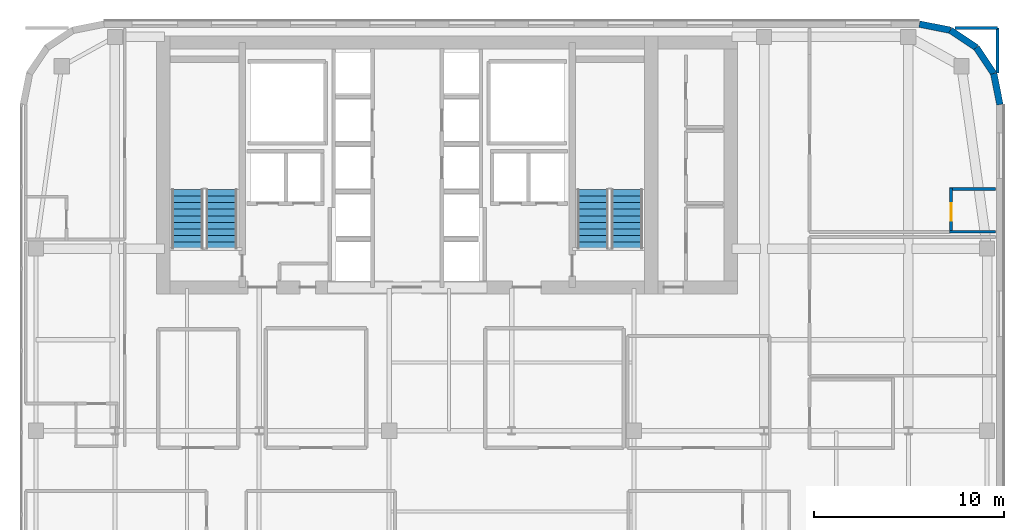
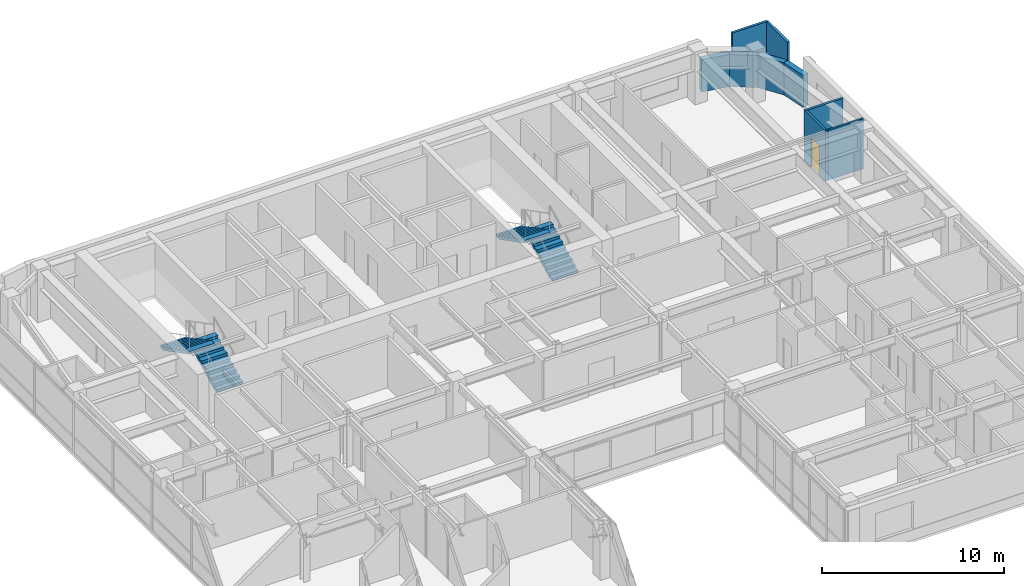
# One storey, part 23 of 28: 9 walls, 4 stair flights, 1 door, 1 opening, 2 elements without a shape of their own.
"""IFC4 building model written with IfcOpenShell, lengths in metres."""

from ifc_helpers import new_model, si_unit, direction, frame, frame_2d, origin, place, context, subcontext, project, spatial, polyline, rectangle, outline, extrude, source, transform, mapped, material, layer, layer_set, type_object, type_shapes, element, fill, aggregate, save


model = new_model("IFC4")

# Units and contexts
model_context = context("Model", 3, precision=1e-05, world=origin(), true_north=direction((0.0, 1.0)))
body_context = subcontext(model_context, "Body", "Model", "MODEL_VIEW")
ifc_project = project(units=[si_unit("LENGTHUNIT", "METRE"), si_unit("AREAUNIT", "SQUARE_METRE"), si_unit("VOLUMEUNIT", "CUBIC_METRE"), si_unit("PLANEANGLEUNIT", "RADIAN"), si_unit("MASSUNIT", "GRAM", prefix="KILO")], contexts=[model_context])

# Site, building, storey
site_placement = place(None, origin())
site = spatial("IfcSite", under=ifc_project, at=site_placement, CompositionType="ELEMENT")
building_placement = place(site_placement, origin())
building = spatial("IfcBuilding", under=site, at=building_placement, Name="Tolvann Quenvar Hotel", CompositionType="ELEMENT")
storey_placement = place(building_placement, frame((0.0, 0.0, 154.14990234375)))
storey = spatial("IfcBuildingStorey", under=building, at=storey_placement, Name="L40", CompositionType="ELEMENT", Elevation=154.14990234375)

# Walls
ifc_material_1 = material(Name="Kiln-fired red and buff architectural clay brickwork and terracotta masonry", Category="masonry")
ifc_layer_1 = layer(ifc_material_1, 0.35009765625)
ifc_layer_set_1 = layer_set([ifc_layer_1], Name="Kiln-fired red and buff architectural clay brickwork and terracotta masonry")
wall_type_1 = type_object("IfcWallType", Name="WALL_EXT_BRICK_350", PredefinedType="SOLIDWALL", material=ifc_layer_set_1)
wall_1_placement = place(storey_placement, frame((54.22509765625, 41.582763671875, 0.0), z_axis=(0.0, 0.0, 1.0), x_axis=(-0.195044345786, 0.980794424524, 0.0)))
element("IfcWall", 1, at=wall_1_placement, inside=storey, type_object=wall_type_1, Name="Exterior Chicago Brick Wall L40-E14", PredefinedType="SOLIDWALL", context=body_context, shape_type="SweptSolid", body=[
    extrude(rectangle(XDim=1.664794921875, YDim=0.35009765625, at=frame_2d((0.83251953125, 0.0))), origin(), (0.0, 0.0, 1.0), 2.16015625),
])
for number, where, z_axis, x_axis, name in (
    (2, (53.900390625, 43.215576171875, 0.0), (0.0, 0.0, 1.0), (-0.555623290322, 0.831434158098, 0.0), "Exterior Chicago Brick Wall L40-E15"),
    (3, (52.985107421875, 44.585205078125, 0.0), (0.0, 0.0, 1.0), (-0.831502623162, 0.555520825599, 0.0), "Exterior Chicago Brick Wall L40-E16"),
):
    element("IfcWall", number, at=place(storey_placement, frame(where, z_axis=z_axis, x_axis=x_axis)), inside=storey, type_object=wall_type_1, Name=name, PredefinedType="SOLIDWALL", context=body_context, shape_type="SweptSolid", body=[
        extrude(rectangle(XDim=1.647216796875, YDim=0.35009765625, at=frame_2d((0.82373046875, 0.0))), origin(), (0.0, 0.0, 1.0), 2.16015625),
    ])
wall_2_placement = place(storey_placement, frame((51.615478515625, 45.500244140625, 0.0), z_axis=(0.0, 0.0, 1.0), x_axis=(-0.980788844421, 0.195072403631, 0.0)))
element("IfcWall", 4, at=wall_2_placement, inside=storey, type_object=wall_type_1, Name="Exterior Chicago Brick Wall L40-E17", PredefinedType="SOLIDWALL", context=body_context, shape_type="SweptSolid", body=[
    extrude(rectangle(XDim=1.66455078125, YDim=0.35009765625, at=frame_2d((0.832275390625, 0.0))), origin(), (0.0, 0.0, 1.0), 2.16015625),
])
ifc_material_2 = material(Name="Moisture-resistant acoustic plumbing wall assembly")
ifc_layer_2 = layer(ifc_material_2, 0.1201171875)
ifc_layer_set_2 = layer_set([ifc_layer_2], Name="Moisture-resistant acoustic plumbing wall assembly")
wall_type_2 = type_object("IfcWallType", Name="WALL_PART_BATH_120", PredefinedType="PLUMBINGWALL", material=ifc_layer_set_2)
wall_3_placement = place(storey_placement, frame((51.580078125, 34.8798828125, 0.0), z_axis=(0.0, 0.0, 1.0), x_axis=(1.0, 0.0, 0.0)))
element("IfcWall", 5, at=wall_3_placement, inside=storey, type_object=wall_type_2, Name="Non-Rated Plumbing Partition PT-SPC-L40-ENS-NE01-S", PredefinedType="PLUMBINGWALL", context=body_context, shape_type="SweptSolid", body=[
    extrude(rectangle(XDim=2.4150390625, YDim=0.1201171875, at=frame_2d((1.20751953125, 0.0))), origin(), (0.0, 0.0, 1.0), 3.3701171875),
])

# Wall, opening, door
ifc_material_3 = material(Name="Acoustic twin-stud fire-rated gypsum plasterboard partition")
ifc_layer_3 = layer(ifc_material_3, 0.14990234375)
ifc_layer_set_3 = layer_set([ifc_layer_3], Name="Acoustic twin-stud fire-rated gypsum plasterboard partition")
wall_type_3 = type_object("IfcWallType", Name="WALL_PART_SUITE_150", PredefinedType="PARTITIONING", material=ifc_layer_set_3)
wall_4_placement = place(storey_placement, frame((51.64990234375, 34.81005859375, 0.0), z_axis=(0.0, 0.0, 1.0), x_axis=(0.0, 1.0, 0.0)))
wall_4 = element("IfcWall", 6, at=wall_4_placement, inside=storey, type_object=wall_type_3, Name="Interior Partition PT-SPC-L40-ENS-NE01-ENT", PredefinedType="PARTITIONING", context=body_context, shape_type="SweptSolid", body=[
    extrude(rectangle(XDim=2.389892578125, YDim=0.14990234375, at=frame_2d((1.19482421875, 0.0))), origin(), (0.0, 0.0, 1.0), 3.3701171875),
])
opening_placement = place(wall_4_placement, frame((0.6650390625, 0.0, 0.0)))
opening = element("IfcOpeningElement", 7, at=opening_placement, cuts=wall_4, Name="Opening WD-01", PredefinedType="OPENING", context=body_context, shape_type="SweptSolid", body=[
    extrude(rectangle(XDim=0.919921875, YDim=2.010009765625, at=frame_2d((0.4599609375, 1.0048828125))), frame((0.0, 0.0849609375, 0.0), z_axis=(0.0, -1.0, 0.0), x_axis=(1.0, 0.0, 0.0)), (0.0, 0.0, 1.0), 0.169921875),
])
ifc_material_4 = material(Name="Solid-core American oak acoustic fire door leaf in steel frame", Category="steel")
door_type = type_object("IfcDoorType", Name="DOOR_WC_920", OperationType="NOTDEFINED", PredefinedType="DOOR", material=ifc_material_4)
shared_shape = source(origin(), body_context, "Body", "SweptSolid", [
    extrude(rectangle(XDim=0.919921875, YDim=2.010009765625, at=frame_2d((0.4599609375, 1.0048828125))), frame((0.0, 0.02490234375, 0.0), z_axis=(0.0, -1.0, 0.0), x_axis=(1.0, 0.0, 0.0)), (0.0, 0.0, 1.0), 0.050048828125),
])
type_shapes(door_type, [shared_shape])
door_placement = place(opening_placement, origin())
door = element("IfcDoor", 8, at=door_placement, inside=storey, type_object=door_type, Name="Interior Door DOOR-SPC-L40-ENS-NE01", OperationType="SINGLE_SWING_RIGHT", OverallHeight=2.010009765625, OverallWidth=0.919921875, PredefinedType="DOOR", context=body_context, shape_type="MappedRepresentation", body=[
    mapped(shared_shape, transform((0.0, 0.0, 0.0), x_axis=(1.0, 0.0, 0.0), y_axis=(0.0, 1.0, 0.0), z_axis=(0.0, 0.0, 1.0), scale=1.0)),
])
fill(opening, door)

# Walls
wall_5_placement = place(storey_placement, frame((51.580078125, 37.1298828125, 0.0), z_axis=(0.0, 0.0, 1.0), x_axis=(1.0, 0.0, 0.0)))
element("IfcWall", 9, at=wall_5_placement, inside=storey, type_object=wall_type_3, Name="Interior Partition PT-SPC-L40-ENS-NE01-N", PredefinedType="PARTITIONING", context=body_context, shape_type="SweptSolid", body=[
    extrude(rectangle(XDim=2.4150390625, YDim=0.14990234375, at=frame_2d((1.20751953125, 0.0))), origin(), (0.0, 0.0, 1.0), 3.3701171875),
])
wall_6_placement = place(storey_placement, frame((54.10009765625, 43.2548828125, 0.0), z_axis=(0.0, 0.0, 1.0), x_axis=(0.0, 1.0, 0.0)))
element("IfcWall", 10, at=wall_6_placement, inside=storey, type_object=wall_type_3, Name="Interior Partition PT-SPC-L40-RM-NE01-E4", PredefinedType="PARTITIONING", context=body_context, shape_type="SweptSolid", body=[
    extrude(rectangle(XDim=2.365234375, YDim=0.14990234375, at=frame_2d((1.1826171875, 0.0))), origin(), (0.0, 0.0, 1.0), 3.3701171875),
])
wall_7_placement = place(storey_placement, frame((51.85009765625, 45.6201171875, 0.0), z_axis=(0.0, 0.0, 1.0), x_axis=(1.0, 0.0, 0.0)))
element("IfcWall", 11, at=wall_7_placement, inside=storey, type_object=wall_type_3, Name="Interior Partition PT-SPC-L40-RM-NE01-E5", PredefinedType="PARTITIONING", context=body_context, shape_type="SweptSolid", body=[
    extrude(rectangle(XDim=2.25, YDim=0.14990234375, at=frame_2d((1.125, 0.0))), origin(), (0.0, 0.0, 1.0), 3.3701171875),
])

# Stair, stair flights
ifc_material_5 = material(Name="Concrete N40 (40 MPa)", Category="concrete")
stair_type = type_object("IfcStairType", Name="STAIR", PredefinedType="HALF_TURN_STAIR", material=ifc_material_5)
stair_1_placement = place(storey_placement, origin())
stair_1 = element("IfcStair", 12, at=stair_1_placement, inside=storey, type_object=stair_type, Name="L40 ST-C1", PredefinedType="HALF_TURN_STAIR")
stair_flight_type = type_object("IfcStairFlightType", Name="STAIR_FLIGHT", PredefinedType="STRAIGHT", material=ifc_material_5)
stair_flight_1_placement = place(storey_placement, frame((13.22509765625, 34.0, 0.0), z_axis=(0.0, 0.0, 1.0), x_axis=(0.0, 1.0, 0.0)))
stair_flight_1 = element("IfcStairFlight", 13, at=stair_flight_1_placement, type_object=stair_flight_type, Name="ST-C1 flight 1", NumberOfRisers=10, NumberOfTreads=9, PredefinedType="STRAIGHT", RiserHeight=0.1775, TreadLength=0.345, context=body_context, shape_type="SweptSolid", body=[
    extrude(outline(polyline([(0.0, 0.0), (0.0, 0.177490234375), (0.344970703125, 0.177490234375), (0.344970703125, 0.35498046875), (0.68994140625, 0.35498046875), (0.68994140625, 0.532470703125), (1.034912109375, 0.532470703125), (1.034912109375, 0.7099609375), (1.3798828125, 0.7099609375), (1.3798828125, 0.887451171875), (1.72509765625, 0.887451171875), (1.72509765625, 1.06494140625), (2.070068359375, 1.06494140625), (2.070068359375, 1.242431640625), (2.4150390625, 1.242431640625), (2.4150390625, 1.419921875), (2.760009765625, 1.419921875), (2.760009765625, 1.597412109375), (3.10498046875, 1.597412109375), (3.10498046875, 1.77490234375), (3.10498046875, 1.428955078125), (0.32763671875, 0.0), (0.0, 0.0)])), frame((0.0, 0.824951171875, 0.0), z_axis=(0.0, -1.0, 0.0), x_axis=(1.0, 0.0, 0.0)), (0.0, 0.0, 1.0), 1.64990234375),
])
stair_flight_2_placement = place(storey_placement, frame((11.425048828125, 37.10498046875, 1.775146484375), z_axis=(0.0, 0.0, 1.0), x_axis=(0.0, -1.0, 0.0)))
stair_flight_2 = element("IfcStairFlight", 14, at=stair_flight_2_placement, type_object=stair_flight_type, Name="ST-C1 flight 2", NumberOfRisers=10, NumberOfTreads=9, PredefinedType="STRAIGHT", RiserHeight=0.1775, TreadLength=0.345, context=body_context, shape_type="SweptSolid", body=[
    extrude(outline(polyline([(0.0, 0.0), (0.0, 0.177490234375), (0.344970703125, 0.177490234375), (0.344970703125, 0.35498046875), (0.68994140625, 0.35498046875), (0.68994140625, 0.532470703125), (1.034912109375, 0.532470703125), (1.034912109375, 0.7099609375), (1.3798828125, 0.7099609375), (1.3798828125, 0.887451171875), (1.72509765625, 0.887451171875), (1.72509765625, 1.06494140625), (2.070068359375, 1.06494140625), (2.070068359375, 1.242431640625), (2.4150390625, 1.242431640625), (2.4150390625, 1.419921875), (2.760009765625, 1.419921875), (2.760009765625, 1.597412109375), (3.10498046875, 1.597412109375), (3.10498046875, 1.77490234375), (3.10498046875, 1.428955078125), (0.32763671875, 0.0), (0.0, 0.0)])), frame((0.0, 0.824951171875, 0.0), z_axis=(0.0, -1.0, 0.0), x_axis=(1.0, 0.0, 0.0)), (0.0, 0.0, 1.0), 1.64990234375),
])
aggregate(stair_1, [stair_flight_1, stair_flight_2])

stair_2_placement = place(storey_placement, origin())
stair_2 = element("IfcStair", 15, at=stair_2_placement, inside=storey, type_object=stair_type, Name="L40 ST-C2", PredefinedType="HALF_TURN_STAIR")
stair_flight_3_placement = place(storey_placement, frame((34.574951171875, 34.0, 0.0), z_axis=(0.0, 0.0, 1.0), x_axis=(0.0, 1.0, 0.0)))
stair_flight_3 = element("IfcStairFlight", 16, at=stair_flight_3_placement, type_object=stair_flight_type, Name="ST-C2 flight 1", NumberOfRisers=10, NumberOfTreads=9, PredefinedType="STRAIGHT", RiserHeight=0.1775, TreadLength=0.345, context=body_context, shape_type="SweptSolid", body=[
    extrude(outline(polyline([(0.0, 0.0), (0.0, 0.177490234375), (0.344970703125, 0.177490234375), (0.344970703125, 0.35498046875), (0.68994140625, 0.35498046875), (0.68994140625, 0.532470703125), (1.034912109375, 0.532470703125), (1.034912109375, 0.7099609375), (1.3798828125, 0.7099609375), (1.3798828125, 0.887451171875), (1.72509765625, 0.887451171875), (1.72509765625, 1.06494140625), (2.070068359375, 1.06494140625), (2.070068359375, 1.242431640625), (2.4150390625, 1.242431640625), (2.4150390625, 1.419921875), (2.760009765625, 1.419921875), (2.760009765625, 1.597412109375), (3.10498046875, 1.597412109375), (3.10498046875, 1.77490234375), (3.10498046875, 1.428955078125), (0.32763671875, 0.0), (0.0, 0.0)])), frame((0.0, 0.824951171875, 0.0), z_axis=(0.0, -1.0, 0.0), x_axis=(1.0, 0.0, 0.0)), (0.0, 0.0, 1.0), 1.64990234375),
])
stair_flight_4_placement = place(storey_placement, frame((32.77490234375, 37.10498046875, 1.775146484375), z_axis=(0.0, 0.0, 1.0), x_axis=(0.0, -1.0, 0.0)))
stair_flight_4 = element("IfcStairFlight", 17, at=stair_flight_4_placement, type_object=stair_flight_type, Name="ST-C2 flight 2", NumberOfRisers=10, NumberOfTreads=9, PredefinedType="STRAIGHT", RiserHeight=0.1775, TreadLength=0.345, context=body_context, shape_type="SweptSolid", body=[
    extrude(outline(polyline([(0.0, 0.0), (0.0, 0.177490234375), (0.344970703125, 0.177490234375), (0.344970703125, 0.35498046875), (0.68994140625, 0.35498046875), (0.68994140625, 0.532470703125), (1.034912109375, 0.532470703125), (1.034912109375, 0.7099609375), (1.3798828125, 0.7099609375), (1.3798828125, 0.887451171875), (1.72509765625, 0.887451171875), (1.72509765625, 1.06494140625), (2.070068359375, 1.06494140625), (2.070068359375, 1.242431640625), (2.4150390625, 1.242431640625), (2.4150390625, 1.419921875), (2.760009765625, 1.419921875), (2.760009765625, 1.597412109375), (3.10498046875, 1.597412109375), (3.10498046875, 1.77490234375), (3.10498046875, 1.428955078125), (0.32763671875, 0.0), (0.0, 0.0)])), frame((0.0, 0.824951171875, 0.0), z_axis=(0.0, -1.0, 0.0), x_axis=(1.0, 0.0, 0.0)), (0.0, 0.0, 1.0), 1.64990234375),
])
aggregate(stair_2, [stair_flight_3, stair_flight_4])

save(model, "model.ifc")
